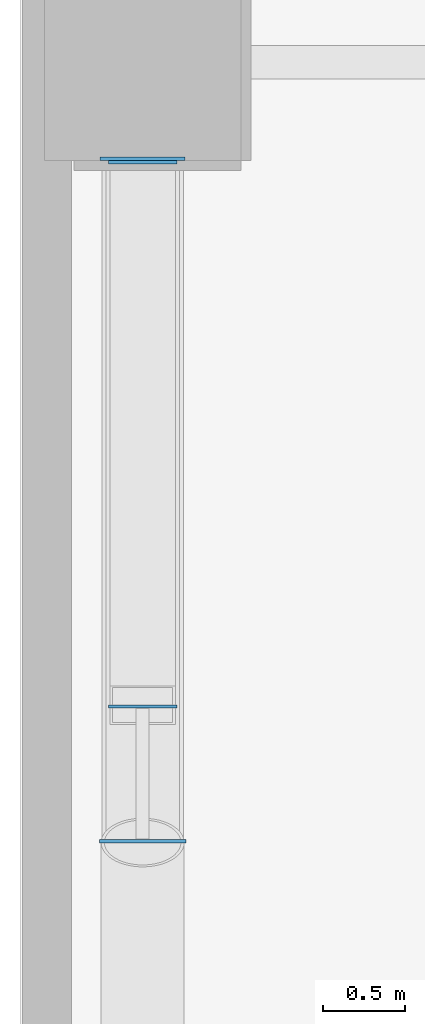
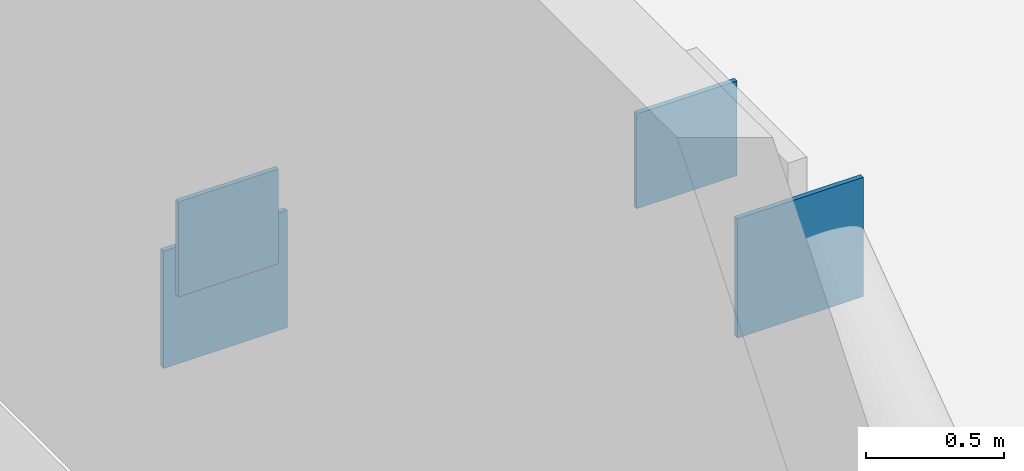
# One storey, part 4 of 11: 4 plates.
"""IFC4 building model written with IfcOpenShell, lengths in metres."""

from ifc_helpers import new_model, si_unit, direction, frame, origin, origin_2d, place, context, subcontext, project, spatial, rectangle, extrude, material, layer, layer_set, type_object, element, save


model = new_model("IFC4")

# Units and contexts
model_context = context("Model", 3, precision=1e-05, world=origin(), true_north=direction((0.0, 1.0)))
body_context = subcontext(model_context, "Body", "Model", "MODEL_VIEW")
ifc_project = project(units=[si_unit("LENGTHUNIT", "METRE"), si_unit("AREAUNIT", "SQUARE_METRE"), si_unit("VOLUMEUNIT", "CUBIC_METRE"), si_unit("PLANEANGLEUNIT", "RADIAN"), si_unit("MASSUNIT", "GRAM", prefix="KILO")], contexts=[model_context])

# Site, building, storey
site_placement = place(None, origin())
site = spatial("IfcSite", under=ifc_project, at=site_placement, CompositionType="ELEMENT")
building_placement = place(site_placement, origin())
building = spatial("IfcBuilding", under=site, at=building_placement, Name="Solanera Arch Residences", CompositionType="ELEMENT")
storey_placement = place(building_placement, frame((0.0, 0.0, 88.39990234375)))
storey = spatial("IfcBuildingStorey", under=building, at=storey_placement, Name="L25", CompositionType="ELEMENT", Elevation=88.39990234375)

# Plates
ifc_material = material(Name="Steel S355 (ASTM A992 / A572 Grade 50)", Category="steel")
ifc_layer = layer(ifc_material, 0.02001953125)
ifc_layer_set = layer_set([ifc_layer], Name="Steel S355 (ASTM A992 / A572 Grade 50)")
plate_type = type_object("IfcPlateType", Name="End Cap Plate EC-20", PredefinedType="USERDEFINED", material=ifc_layer_set)
plate_1_placement = place(storey_placement, frame((2.25, 38.81005859375, 0.190185546875), z_axis=(0.0, 0.0, 1.0), x_axis=(0.0, 1.0, 0.0)))
element("IfcPlate", 1, at=plate_1_placement, inside=storey, type_object=plate_type, Name="Hollow Section End Cap 152", ObjectType="STIFFENER", PredefinedType="USERDEFINED", context=body_context, shape_type="SweptSolid", body=[
    extrude(rectangle(XDim=0.02001953125, YDim=0.52001953125, at=origin_2d()), origin(), (0.0, 0.0, 1.0), 0.52001953125),
])
plate_2_placement = place(storey_placement, frame((2.25, 34.637939453125, 2.85693359375), z_axis=(0.0, 0.0, 1.0), x_axis=(0.0, 1.0, 0.0)))
element("IfcPlate", 2, at=plate_2_placement, inside=storey, type_object=plate_type, Name="Hollow Section End Cap 154", ObjectType="STIFFENER", PredefinedType="USERDEFINED", context=body_context, shape_type="SweptSolid", body=[
    extrude(rectangle(XDim=0.02001953125, YDim=0.528076171875, at=origin_2d()), origin(), (0.0, 0.0, 1.0), 0.528076171875),
])
for number, where, z_axis, x_axis, name in (
    (3, (2.25, 38.7880859375, 0.504150390625), (0.0, 0.0, 1.0), (0.0, 1.0, 0.0), "Hollow Section End Cap 155"),
    (4, (2.25, 35.4619140625, 2.9111328125), (0.0, 0.0, 1.0), (0.0, -1.0, 0.0), "Hollow Section End Cap 156"),
):
    element("IfcPlate", number, at=place(storey_placement, frame(where, z_axis=z_axis, x_axis=x_axis)), inside=storey, type_object=plate_type, Name=name, ObjectType="STIFFENER", PredefinedType="USERDEFINED", context=body_context, shape_type="SweptSolid", body=[
        extrude(rectangle(XDim=0.02001953125, YDim=0.419921875, at=origin_2d()), origin(), (0.0, 0.0, 1.0), 0.419921875),
    ])

save(model, "model.ifc")
